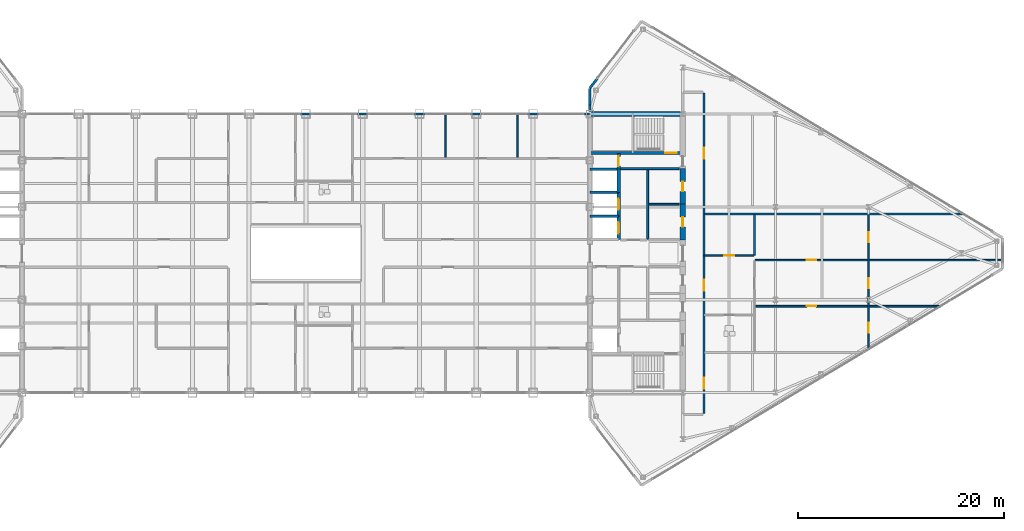
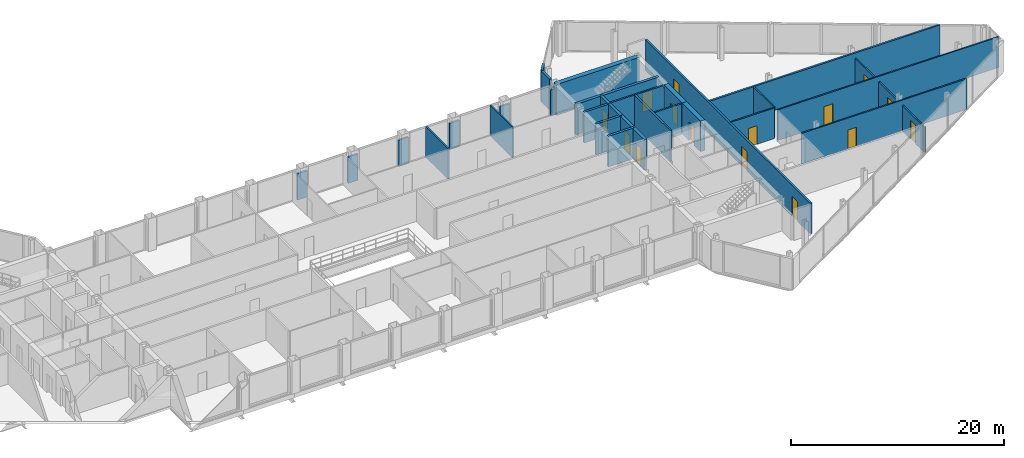
# One storey, part 25 of 29: 32 walls, 15 doors, 15 openings.
"""IFC4 building model written with IfcOpenShell, lengths in metres."""

from ifc_helpers import new_model, si_unit, direction, frame, frame_2d, origin, place, context, subcontext, project, spatial, rectangle, extrude, source, transform, mapped, material, layer, layer_set, type_object, type_shapes, element, fill, save


model = new_model("IFC4")

# Units and contexts
model_context = context("Model", 3, precision=1e-05, world=origin(), true_north=direction((0.0, 1.0)))
body_context = subcontext(model_context, "Body", "Model", "MODEL_VIEW")
ifc_project = project(units=[si_unit("LENGTHUNIT", "METRE"), si_unit("AREAUNIT", "SQUARE_METRE"), si_unit("VOLUMEUNIT", "CUBIC_METRE"), si_unit("PLANEANGLEUNIT", "RADIAN"), si_unit("MASSUNIT", "GRAM", prefix="KILO")], contexts=[model_context])

# Site, building, storey
site_placement = place(None, origin())
site = spatial("IfcSite", under=ifc_project, at=site_placement, CompositionType="ELEMENT")
building_placement = place(site_placement, origin())
building = spatial("IfcBuilding", under=site, at=building_placement, Name="Seokmaru Belvedere", CompositionType="ELEMENT")
storey_placement = place(building_placement, frame((0.0, 0.0, 258.14990234375)))
storey = spatial("IfcBuildingStorey", under=building, at=storey_placement, Name="L68", CompositionType="ELEMENT", Elevation=258.14990234375)

# Wall, opening, door
ifc_material_1 = material(Name="Fire-Rated Gypsum Shaftwall")
ifc_layer_1 = layer(ifc_material_1, 0.14990234375)
ifc_layer_set_1 = layer_set([ifc_layer_1], Name="Fire-Rated Gypsum Shaftwall")
wall_type_1 = type_object("IfcWallType", Name="Apartment Fire-Acoustic Room Partition 150", PredefinedType="PARTITIONING", material=ifc_layer_set_1)
wall_1_placement = place(storey_placement, frame((43.5, -5.1298828125, 0.0), z_axis=(0.0, 0.0, 1.0), x_axis=(1.0, 0.0, 0.0)))
wall_1 = element("IfcWall", 1, at=wall_1_placement, inside=storey, type_object=wall_type_1, Name="L68 Interior Partition 009", PredefinedType="PARTITIONING", context=body_context, shape_type="SweptSolid", body=[
    extrude(rectangle(XDim=17.97998046875, YDim=0.14990234375, at=frame_2d((8.989990234375, 0.0))), origin(), (0.0, 0.0, 1.0), 3.530029296875),
])
opening_1_placement = place(wall_1_placement, frame((5.0, 0.0, 0.0)))
opening_1 = element("IfcOpeningElement", 2, at=opening_1_placement, cuts=wall_1, Name="Opening D05", PredefinedType="OPENING", context=body_context, shape_type="SweptSolid", body=[
    extrude(rectangle(XDim=0.949951171875, YDim=2.14990234375, at=frame_2d((0.47509765625, 1.074951171875))), frame((0.0, 0.0849609375, 0.0), z_axis=(0.0, -1.0, 0.0), x_axis=(1.0, 0.0, 0.0)), (0.0, 0.0, 1.0), 0.169921875),
])
ifc_material_2 = material(Name="Engineered White Oak Timber", Category="wood")
door_type_1 = type_object("IfcDoorType", Name="Apartment Interior Fire-Rated Oak Door 950x2150", OperationType="NOTDEFINED", PredefinedType="DOOR", material=ifc_material_2)
shared_shape_1 = source(origin(), body_context, "Body", "SweptSolid", [
    extrude(rectangle(XDim=0.949951171875, YDim=2.14990234375, at=frame_2d((0.47509765625, 1.074951171875))), frame((0.0, 0.02490234375, 0.0), z_axis=(0.0, -1.0, 0.0), x_axis=(1.0, 0.0, 0.0)), (0.0, 0.0, 1.0), 0.050048828125),
])
type_shapes(door_type_1, [shared_shape_1])
door_1_placement = place(opening_1_placement, origin())
door_1 = element("IfcDoor", 3, at=door_1_placement, inside=storey, type_object=door_type_1, Name="L68 Interior Door 009", OperationType="SINGLE_SWING_RIGHT", OverallHeight=2.14990234375, OverallWidth=0.949951171875, PredefinedType="DOOR", context=body_context, shape_type="MappedRepresentation", body=[
    mapped(shared_shape_1, transform((0.0, 0.0, 0.0), scale=1.0)),
])
fill(opening_1, door_1)

wall_2_placement = place(storey_placement, frame((43.5, -0.669921875, 0.0), z_axis=(0.0, 0.0, 1.0), x_axis=(1.0, 0.0, 0.0)))
wall_2 = element("IfcWall", 4, at=wall_2_placement, inside=storey, type_object=wall_type_1, Name="L68 Interior Partition 013", PredefinedType="PARTITIONING", context=body_context, shape_type="SweptSolid", body=[
    extrude(rectangle(XDim=24.034912109375, YDim=0.14990234375, at=frame_2d((12.017578125, 0.0))), origin(), (0.0, 0.0, 1.0), 3.530029296875),
])
opening_2_placement = place(wall_2_placement, frame((5.0, 0.0, 0.0)))
opening_2 = element("IfcOpeningElement", 5, at=opening_2_placement, cuts=wall_2, Name="Opening D05", PredefinedType="OPENING", context=body_context, shape_type="SweptSolid", body=[
    extrude(rectangle(XDim=0.949951171875, YDim=2.14990234375, at=frame_2d((0.47509765625, 1.074951171875))), frame((0.0, 0.0849609375, 0.0), z_axis=(0.0, -1.0, 0.0), x_axis=(1.0, 0.0, 0.0)), (0.0, 0.0, 1.0), 0.169921875),
])
door_2_placement = place(opening_2_placement, origin())
door_2 = element("IfcDoor", 6, at=door_2_placement, inside=storey, type_object=door_type_1, Name="L68 Interior Door 010", OperationType="SINGLE_SWING_LEFT", OverallHeight=2.14990234375, OverallWidth=0.949951171875, PredefinedType="DOOR", context=body_context, shape_type="MappedRepresentation", body=[
    mapped(shared_shape_1, transform((0.0, 0.0, 0.0), scale=1.0)),
])
fill(opening_2, door_2)

wall_3_placement = place(storey_placement, frame((38.60009765625, -0.219970703125, 0.0), z_axis=(0.0, 0.0, 1.0), x_axis=(1.0, 0.0, 0.0)))
wall_3 = element("IfcWall", 7, at=wall_3_placement, inside=storey, type_object=wall_type_1, Name="L68 Interior Partition 014", PredefinedType="PARTITIONING", context=body_context, shape_type="SweptSolid", body=[
    extrude(rectangle(XDim=4.7998046875, YDim=0.14990234375, at=frame_2d((2.39990234375, 0.0))), origin(), (0.0, 0.0, 1.0), 3.530029296875),
])
opening_3_placement = place(wall_3_placement, frame((1.925048828125, 0.0, 0.0)))
opening_3 = element("IfcOpeningElement", 8, at=opening_3_placement, cuts=wall_3, Name="Opening D05", PredefinedType="OPENING", context=body_context, shape_type="SweptSolid", body=[
    extrude(rectangle(XDim=0.949951171875, YDim=2.14990234375, at=frame_2d((0.47509765625, 1.074951171875))), frame((0.0, 0.0849609375, 0.0), z_axis=(0.0, -1.0, 0.0), x_axis=(1.0, 0.0, 0.0)), (0.0, 0.0, 1.0), 0.169921875),
])
door_3_placement = place(opening_3_placement, origin())
door_3 = element("IfcDoor", 9, at=door_3_placement, inside=storey, type_object=door_type_1, Name="L68 Interior Door 006", OperationType="SINGLE_SWING_RIGHT", OverallHeight=2.14990234375, OverallWidth=0.949951171875, PredefinedType="DOOR", context=body_context, shape_type="MappedRepresentation", body=[
    mapped(shared_shape_1, transform((0.0, 0.0, 0.0), scale=1.0)),
])
fill(opening_3, door_3)

# Walls
for number, where, z_axis, x_axis, name in (
    (10, (13.5, 9.284912109375, 0.0), (0.0, 0.0, 1.0), (0.0, 1.0, 0.0), "L68 Interior Partition 044"),
    (11, (20.5, 9.284912109375, 0.0), (0.0, 0.0, 1.0), (0.0, 1.0, 0.0), "L68 Interior Partition 046"),
):
    element("IfcWall", number, at=place(storey_placement, frame(where, z_axis=z_axis, x_axis=x_axis)), inside=storey, type_object=wall_type_1, Name=name, PredefinedType="PARTITIONING", context=body_context, shape_type="SweptSolid", body=[
        extrude(rectangle(XDim=4.215087890625, YDim=0.14990234375, at=frame_2d((2.107421875, 0.0))), origin(), (0.0, 0.0, 1.0), 3.530029296875),
    ])
wall_4_placement = place(storey_placement, frame((43.449951171875, -0.16796875, 0.0), z_axis=(0.0, 0.0, 1.0), x_axis=(0.0, 1.0, 0.0)))
element("IfcWall", 12, at=wall_4_placement, inside=storey, type_object=wall_type_1, Name="L68 Interior Partition 051", PredefinedType="PARTITIONING", context=body_context, shape_type="SweptSolid", body=[
    extrude(rectangle(XDim=3.91796875, YDim=0.14990234375, at=frame_2d((1.958984375, 0.0))), origin(), (0.0, 0.0, 1.0), 3.530029296875),
])

# Wall, openings, doors
wall_5_placement = place(storey_placement, frame((54.5, -9.3349609375, 0.0), z_axis=(0.0, 0.0, 1.0), x_axis=(0.0, 1.0, 0.0)))
wall_5 = element("IfcWall", 13, at=wall_5_placement, inside=storey, type_object=wall_type_1, Name="L68 Interior Partition 052", PredefinedType="PARTITIONING", context=body_context, shape_type="SweptSolid", body=[
    extrude(rectangle(XDim=13.0849609375, YDim=0.14990234375, at=frame_2d((6.54248046875, 0.0))), origin(), (0.0, 0.0, 1.0), 2.93017578125),
])
opening_4_placement = place(wall_5_placement, frame((5.9599609375, 0.0, 0.0)))
opening_4 = element("IfcOpeningElement", 14, at=opening_4_placement, cuts=wall_5, Name="Opening D05", PredefinedType="OPENING", context=body_context, shape_type="SweptSolid", body=[
    extrude(rectangle(XDim=0.949951171875, YDim=2.14990234375, at=frame_2d((0.47509765625, 1.074951171875))), frame((0.0, 0.0849609375, 0.0), z_axis=(0.0, -1.0, 0.0), x_axis=(1.0, 0.0, 0.0)), (0.0, 0.0, 1.0), 0.169921875),
])
opening_5_placement = place(wall_5_placement, frame((1.643310546875, 0.0, 0.0)))
opening_5 = element("IfcOpeningElement", 15, at=opening_5_placement, cuts=wall_5, Name="Opening D05", PredefinedType="OPENING", context=body_context, shape_type="SweptSolid", body=[
    extrude(rectangle(XDim=0.949951171875, YDim=2.14990234375, at=frame_2d((0.47509765625, 1.074951171875))), frame((0.0, 0.0849609375, 0.0), z_axis=(0.0, -1.0, 0.0), x_axis=(1.0, 0.0, 0.0)), (0.0, 0.0, 1.0), 0.169921875),
])
opening_6_placement = place(wall_5_placement, frame((10.4267578125, 0.0, 0.0)))
opening_6 = element("IfcOpeningElement", 16, at=opening_6_placement, cuts=wall_5, Name="Opening D05", PredefinedType="OPENING", context=body_context, shape_type="SweptSolid", body=[
    extrude(rectangle(XDim=0.949951171875, YDim=2.14990234375, at=frame_2d((0.47509765625, 1.074951171875))), frame((0.0, 0.0849609375, 0.0), z_axis=(0.0, -1.0, 0.0), x_axis=(1.0, 0.0, 0.0)), (0.0, 0.0, 1.0), 0.169921875),
])
door_4_placement = place(opening_4_placement, origin())
door_4 = element("IfcDoor", 17, at=door_4_placement, inside=storey, type_object=door_type_1, Name="L68 Interior Door 008", OperationType="SINGLE_SWING_RIGHT", OverallHeight=2.14990234375, OverallWidth=0.949951171875, PredefinedType="DOOR", context=body_context, shape_type="MappedRepresentation", body=[
    mapped(shared_shape_1, transform((0.0, 0.0, 0.0), scale=1.0)),
])
fill(opening_4, door_4)
door_5_placement = place(opening_5_placement, origin())
door_5 = element("IfcDoor", 18, at=door_5_placement, inside=storey, type_object=door_type_1, Name="L68 Interior Door 011", OperationType="SINGLE_SWING_LEFT", OverallHeight=2.14990234375, OverallWidth=0.949951171875, PredefinedType="DOOR", context=body_context, shape_type="MappedRepresentation", body=[
    mapped(shared_shape_1, transform((0.0, 0.0, 0.0), scale=1.0)),
])
fill(opening_5, door_5)
door_6_placement = place(opening_6_placement, origin())
door_6 = element("IfcDoor", 19, at=door_6_placement, inside=storey, type_object=door_type_1, Name="L68 Interior Door 012", OperationType="SINGLE_SWING_RIGHT", OverallHeight=2.14990234375, OverallWidth=0.949951171875, PredefinedType="DOOR", context=body_context, shape_type="MappedRepresentation", body=[
    mapped(shared_shape_1, transform((0.0, 0.0, 0.0), scale=1.0)),
])
fill(opening_6, door_6)

# Walls
ifc_material_3 = material(Name="Anodised Bronze Aluminium", Category="aluminium")
ifc_layer_2 = layer(ifc_material_3, 0.2099609375)
ifc_layer_set_2 = layer_set([ifc_layer_2], Name="Anodised Bronze Aluminium")
wall_type_2 = type_object("IfcWallType", Name="Bridge Column Spandrel Closure Pier 210", PredefinedType="SOLIDWALL", material=ifc_layer_set_2)
for number, where, z_axis, x_axis, name in (
    (20, (-0.550048828125, 13.5, 0.0), (0.0, 0.0, 1.0), (1.0, 0.0, 0.0), "L68 Bridge North Column Closure Pier 06"),
    (21, (4.949951171875, 13.5, 0.0), (0.0, 0.0, 1.0), (1.0, 0.0, 0.0), "L68 Bridge North Column Closure Pier 07"),
    (22, (10.449951171875, 13.5, 0.0), (0.0, 0.0, 1.0), (1.0, 0.0, 0.0), "L68 Bridge North Column Closure Pier 08"),
    (23, (15.949951171875, 13.5, 0.0), (0.0, 0.0, 1.0), (1.0, 0.0, 0.0), "L68 Bridge North Column Closure Pier 09"),
    (24, (21.449951171875, 13.5, 0.0), (0.0, 0.0, 1.0), (1.0, 0.0, 0.0), "L68 Bridge North Column Closure Pier 10"),
):
    element("IfcWall", number, at=place(storey_placement, frame(where, z_axis=z_axis, x_axis=x_axis)), inside=storey, type_object=wall_type_2, Name=name, PredefinedType="SOLIDWALL", context=body_context, shape_type="SweptSolid", body=[
        extrude(rectangle(XDim=1.10009765625, YDim=0.2099609375, at=frame_2d((0.550048828125, 0.0))), origin(), (0.0, 0.0, 1.0), 3.030029296875),
    ])
wall_6_placement = place(storey_placement, frame((26.949951171875, 13.5, 0.0), z_axis=(0.0, 0.0, 1.0), x_axis=(1.0, 0.0, 0.0)))
element("IfcWall", 25, at=wall_6_placement, inside=storey, type_object=wall_type_2, Name="L68 Bridge North Column Closure Pier 11", PredefinedType="SOLIDWALL", context=body_context, shape_type="SweptSolid", body=[
    extrude(rectangle(XDim=0.5400390625, YDim=0.2099609375, at=frame_2d((0.27001953125, 0.0))), origin(), (0.0, 0.0, 1.0), 3.030029296875),
])
ifc_layer_3 = layer(ifc_material_1, 0.179931640625)
ifc_layer_set_3 = layer_set([ifc_layer_3], Name="Fire-Rated Gypsum Shaftwall")
wall_type_3 = type_object("IfcWallType", Name="Core Service Fire Partition 180", PredefinedType="PARTITIONING", material=ifc_layer_set_3)
wall_7_placement = place(storey_placement, frame((30.449951171875, 8.199951171875, 0.0), z_axis=(0.0, 0.0, 1.0), x_axis=(1.0, 0.0, 0.0)))
element("IfcWall", 26, at=wall_7_placement, inside=storey, type_object=wall_type_3, Name="L68 East Smokeproof Vestibule Partition", PredefinedType="PARTITIONING", context=body_context, shape_type="SweptSolid", body=[
    extrude(rectangle(XDim=5.699951171875, YDim=0.179931640625, at=frame_2d((2.85009765625, 0.0))), origin(), (0.0, 0.0, 1.0), 3.530029296875),
])
wall_8_placement = place(storey_placement, frame((33.10009765625, 1.3798828125, 0.0), z_axis=(0.0, 0.0, 1.0), x_axis=(0.0, 1.0, 0.0)))
element("IfcWall", 27, at=wall_8_placement, inside=storey, type_object=wall_type_3, Name="L68 East North Core Service Back Wall", PredefinedType="PARTITIONING", context=body_context, shape_type="SweptSolid", body=[
    extrude(rectangle(XDim=6.740234375, YDim=0.179931640625, at=frame_2d((3.3701171875, 0.0))), origin(), (0.0, 0.0, 1.0), 3.530029296875),
])
wall_9_placement = place(storey_placement, frame((33.199951171875, 4.75, 0.0), z_axis=(0.0, 0.0, 1.0), x_axis=(1.0, 0.0, 0.0)))
element("IfcWall", 28, at=wall_9_placement, inside=storey, type_object=wall_type_3, Name="L68 East Core Service Partition 2", PredefinedType="PARTITIONING", context=body_context, shape_type="SweptSolid", body=[
    extrude(rectangle(XDim=2.949951171875, YDim=0.179931640625, at=frame_2d((1.47509765625, 0.0))), origin(), (0.0, 0.0, 1.0), 3.530029296875),
])
ifc_material_4 = material(Name="Concrete C50 (50 MPa)", Category="concrete")
ifc_layer_4 = layer(ifc_material_4, 0.25)
ifc_layer_set_4 = layer_set([ifc_layer_4], Name="Concrete C50 (50 MPa)")
wall_type_4 = type_object("IfcWallType", Name="Hoistway Transverse Concrete Divider Wall 250", PredefinedType="SHEAR", material=ifc_layer_set_4)
for number, where, z_axis, x_axis, name in (
    (29, (27.5, 3.60009765625, 0.0), (0.0, 0.0, 1.0), (1.0, 0.0, 0.0), "L68 East Hoistway Divider Core Wall 3"),
    (30, (27.5, 5.89990234375, 0.0), (0.0, 0.0, 1.0), (1.0, 0.0, 0.0), "L68 East Hoistway Divider Core Wall 4"),
    (31, (27.5, 8.14990234375, 0.0), (0.0, 0.0, 1.0), (1.0, 0.0, 0.0), "L68 East Hoistway Divider Core Wall 5"),
):
    element("IfcWall", number, at=place(storey_placement, frame(where, z_axis=z_axis, x_axis=x_axis)), inside=storey, type_object=wall_type_4, Name=name, PredefinedType="SHEAR", context=body_context, shape_type="SweptSolid", body=[
        extrude(rectangle(XDim=2.800048828125, YDim=0.25, at=frame_2d((1.39990234375, 0.0))), origin(), (0.0, 0.0, 1.0), 3.530029296875),
    ])
ifc_layer_5 = layer(ifc_material_1, 0.199951171875)
ifc_layer_set_5 = layer_set([ifc_layer_5], Name="Fire-Rated Gypsum Shaftwall")
wall_type_5 = type_object("IfcWallType", Name="Inter-Tenancy Fire Compartment Partition 200", PredefinedType="PARTITIONING", material=ifc_layer_set_5)
wall_10_placement = place(storey_placement, frame((38.6298828125, 3.800048828125, 0.0), z_axis=(0.0, 0.0, 1.0), x_axis=(1.0, 0.0, 0.0)))
element("IfcWall", 32, at=wall_10_placement, inside=storey, type_object=wall_type_5, Name="L68 Interior Partition 018", PredefinedType="PARTITIONING", context=body_context, shape_type="SweptSolid", body=[
    extrude(rectangle(XDim=25.046142578125, YDim=0.199951171875, at=frame_2d((12.52294921875, 0.0))), origin(), (0.0, 0.0, 1.0), 3.530029296875),
])

# Wall, openings, doors
wall_11_placement = place(storey_placement, frame((38.550048828125, -15.514892578125, 0.0), z_axis=(0.0, 0.0, 1.0), x_axis=(0.0, 1.0, 0.0)))
wall_11 = element("IfcWall", 33, at=wall_11_placement, inside=storey, type_object=wall_type_5, Name="L68 Interior Partition 049", PredefinedType="PARTITIONING", context=body_context, shape_type="SweptSolid", body=[
    extrude(rectangle(XDim=31.02978515625, YDim=0.199951171875, at=frame_2d((15.514892578125, 0.0))), origin(), (0.0, 0.0, 1.0), 3.530029296875),
])
opening_7_placement = place(wall_11_placement, frame((2.389892578125, 0.0, 0.0)))
opening_7 = element("IfcOpeningElement", 34, at=opening_7_placement, cuts=wall_11, Name="Opening D03", PredefinedType="OPENING", context=body_context, shape_type="SweptSolid", body=[
    extrude(rectangle(XDim=1.050048828125, YDim=2.25, at=frame_2d((0.52490234375, 1.125))), frame((0.0, 0.10986328125, 0.0), z_axis=(0.0, -1.0, 0.0), x_axis=(1.0, 0.0, 0.0)), (0.0, 0.0, 1.0), 0.219970703125),
])
opening_8_placement = place(wall_11_placement, frame((11.888916015625, 0.0, 0.0)))
opening_8 = element("IfcOpeningElement", 35, at=opening_8_placement, cuts=wall_11, Name="Opening D03", PredefinedType="OPENING", context=body_context, shape_type="SweptSolid", body=[
    extrude(rectangle(XDim=1.050048828125, YDim=2.25, at=frame_2d((0.52490234375, 1.125))), frame((0.0, 0.10986328125, 0.0), z_axis=(0.0, -1.0, 0.0), x_axis=(1.0, 0.0, 0.0)), (0.0, 0.0, 1.0), 0.219970703125),
])
opening_9_placement = place(wall_11_placement, frame((24.68994140625, 0.0, 0.0)))
opening_9 = element("IfcOpeningElement", 36, at=opening_9_placement, cuts=wall_11, Name="Opening D03", PredefinedType="OPENING", context=body_context, shape_type="SweptSolid", body=[
    extrude(rectangle(XDim=1.050048828125, YDim=2.25, at=frame_2d((0.52490234375, 1.125))), frame((0.0, 0.10986328125, 0.0), z_axis=(0.0, -1.0, 0.0), x_axis=(1.0, 0.0, 0.0)), (0.0, 0.0, 1.0), 0.219970703125),
])
ifc_material_5 = material(Name="Fire-Rated Steel Leaf", Category="steel")
door_type_2 = type_object("IfcDoorType", Name="Apartment Entrance Fire Door 1050x2250", OperationType="NOTDEFINED", PredefinedType="DOOR", material=ifc_material_5)
shared_shape_2 = source(origin(), body_context, "Body", "SweptSolid", [
    extrude(rectangle(XDim=1.050048828125, YDim=2.25, at=frame_2d((0.52490234375, 1.125))), frame((0.0, 0.02490234375, 0.0), z_axis=(0.0, -1.0, 0.0), x_axis=(1.0, 0.0, 0.0)), (0.0, 0.0, 1.0), 0.050048828125),
])
type_shapes(door_type_2, [shared_shape_2])
door_7_placement = place(opening_7_placement, origin())
door_7 = element("IfcDoor", 37, at=door_7_placement, inside=storey, type_object=door_type_2, Name="L68 Interior Door 003", OperationType="SINGLE_SWING_LEFT", OverallHeight=2.25, OverallWidth=1.050048828125, PredefinedType="DOOR", context=body_context, shape_type="MappedRepresentation", body=[
    mapped(shared_shape_2, transform((0.0, 0.0, 0.0), scale=1.0)),
])
fill(opening_7, door_7)
door_8_placement = place(opening_8_placement, origin())
door_8 = element("IfcDoor", 38, at=door_8_placement, inside=storey, type_object=door_type_2, Name="L68 Interior Door 004", OperationType="SINGLE_SWING_RIGHT", OverallHeight=2.25, OverallWidth=1.050048828125, PredefinedType="DOOR", context=body_context, shape_type="MappedRepresentation", body=[
    mapped(shared_shape_2, transform((0.0, 0.0, 0.0), scale=1.0)),
])
fill(opening_8, door_8)
door_9_placement = place(opening_9_placement, origin())
door_9 = element("IfcDoor", 39, at=door_9_placement, inside=storey, type_object=door_type_2, Name="L68 Interior Door 013", OperationType="SINGLE_SWING_LEFT", OverallHeight=2.25, OverallWidth=1.050048828125, PredefinedType="DOOR", context=body_context, shape_type="MappedRepresentation", body=[
    mapped(shared_shape_2, transform((0.0, 0.0, 0.0), scale=1.0)),
])
fill(opening_9, door_9)

# Wall, opening, door
ifc_layer_6 = layer(ifc_material_4, 0.300048828125)
ifc_layer_set_6 = layer_set([ifc_layer_6], Name="Concrete C50 (50 MPa)")
wall_type_6 = type_object("IfcWallType", Name="Internal Core Stair and Hoistway Wall 300", PredefinedType="SHEAR", material=ifc_layer_set_6)
wall_12_placement = place(storey_placement, frame((27.5, 9.699951171875, 0.0), z_axis=(0.0, 0.0, 1.0), x_axis=(1.0, 0.0, 0.0)))
wall_12 = element("IfcWall", 40, at=wall_12_placement, inside=storey, type_object=wall_type_6, Name="L68 East Stair ST-2 Enclosure Wall", PredefinedType="SHEAR", context=body_context, shape_type="SweptSolid", body=[
    extrude(rectangle(XDim=9.0, YDim=0.300048828125, at=frame_2d((4.5, 0.0))), origin(), (0.0, 0.0, 1.0), 3.530029296875),
])
opening_10_placement = place(wall_12_placement, frame((7.300048828125, 0.0, 0.0)))
opening_10 = element("IfcOpeningElement", 41, at=opening_10_placement, cuts=wall_12, Name="Opening D01", PredefinedType="OPENING", context=body_context, shape_type="SweptSolid", body=[
    extrude(rectangle(XDim=1.10009765625, YDim=2.199951171875, at=frame_2d((0.550048828125, 1.10009765625))), frame((0.0, 0.16015625, 0.0), z_axis=(0.0, -1.0, 0.0), x_axis=(1.0, 0.0, 0.0)), (0.0, 0.0, 1.0), 0.320068359375),
])
door_type_3 = type_object("IfcDoorType", Name="Special Escape Stair Smokeproof Fire Door 1100x2200", OperationType="NOTDEFINED", PredefinedType="DOOR", material=ifc_material_5)
shared_shape_3 = source(origin(), body_context, "Body", "SweptSolid", [
    extrude(rectangle(XDim=1.10009765625, YDim=2.199951171875, at=frame_2d((0.550048828125, 1.10009765625))), frame((0.0, 0.02490234375, 0.0), z_axis=(0.0, -1.0, 0.0), x_axis=(1.0, 0.0, 0.0)), (0.0, 0.0, 1.0), 0.050048828125),
])
type_shapes(door_type_3, [shared_shape_3])
door_10_placement = place(opening_10_placement, origin())
door_10 = element("IfcDoor", 42, at=door_10_placement, inside=storey, type_object=door_type_3, Name="L68 East Special Escape Stair ST-2 Door", OperationType="SINGLE_SWING_LEFT", OverallHeight=2.199951171875, OverallWidth=1.10009765625, PredefinedType="DOOR", context=body_context, shape_type="MappedRepresentation", body=[
    mapped(shared_shape_3, transform((0.0, 0.0, 0.0), scale=1.0)),
])
fill(opening_10, door_10)

wall_13_placement = place(storey_placement, frame((30.300048828125, 1.320068359375, 0.0), z_axis=(0.0, 0.0, 1.0), x_axis=(0.0, 1.0, 0.0)))
wall_13 = element("IfcWall", 43, at=wall_13_placement, inside=storey, type_object=wall_type_6, Name="L68 East North Hoistway Wall PH1", PredefinedType="SHEAR", context=body_context, shape_type="SweptSolid", body=[
    extrude(rectangle(XDim=2.280029296875, YDim=0.300048828125, at=frame_2d((1.14013671875, 0.0))), origin(), (0.0, 0.0, 1.0), 3.530029296875),
])
opening_11_placement = place(wall_13_placement, frame((0.590087890625, 0.0, 0.0)))
opening_11 = element("IfcOpeningElement", 44, at=opening_11_placement, cuts=wall_13, Name="Opening LD1", PredefinedType="OPENING", context=body_context, shape_type="SweptSolid", body=[
    extrude(rectangle(XDim=1.10009765625, YDim=2.199951171875, at=frame_2d((0.550048828125, 1.10009765625))), frame((0.0, 0.16015625, 0.0), z_axis=(0.0, -1.0, 0.0), x_axis=(1.0, 0.0, 0.0)), (0.0, 0.0, 1.0), 0.320068359375),
])
ifc_material_6 = material(Name="Stainless Steel 316", Category="steel")
door_type_4 = type_object("IfcDoorType", Name="Passenger Lift Sliding Landing Door 1100x2200", OperationType="DOUBLE_DOOR_SLIDING", PredefinedType="DOOR", material=ifc_material_6)
shared_shape_4 = source(origin(), body_context, "Body", "SweptSolid", [
    extrude(rectangle(XDim=1.10009765625, YDim=2.199951171875, at=frame_2d((0.550048828125, 1.10009765625))), frame((0.0, 0.02490234375, 0.0), z_axis=(0.0, -1.0, 0.0), x_axis=(1.0, 0.0, 0.0)), (0.0, 0.0, 1.0), 0.050048828125),
])
type_shapes(door_type_4, [shared_shape_4])
door_11_placement = place(opening_11_placement, origin())
door_11 = element("IfcDoor", 45, at=door_11_placement, inside=storey, type_object=door_type_4, Name="L68 East High-Rise Lift PH-1 Landing Door", OperationType="DOUBLE_DOOR_SLIDING", OverallHeight=2.199951171875, OverallWidth=1.10009765625, PredefinedType="DOOR", context=body_context, shape_type="MappedRepresentation", body=[
    mapped(shared_shape_4, transform((0.0, 0.0, 0.0), scale=1.0)),
])
fill(opening_11, door_11)

wall_14_placement = place(storey_placement, frame((30.300048828125, 3.60009765625, 0.0), z_axis=(0.0, 0.0, 1.0), x_axis=(0.0, 1.0, 0.0)))
wall_14 = element("IfcWall", 46, at=wall_14_placement, inside=storey, type_object=wall_type_6, Name="L68 East North Hoistway Wall PH2", PredefinedType="SHEAR", context=body_context, shape_type="SweptSolid", body=[
    extrude(rectangle(XDim=2.2998046875, YDim=0.300048828125, at=frame_2d((1.14990234375, 0.0))), origin(), (0.0, 0.0, 1.0), 3.530029296875),
])
opening_12_placement = place(wall_14_placement, frame((0.60009765625, 0.0, 0.0)))
opening_12 = element("IfcOpeningElement", 47, at=opening_12_placement, cuts=wall_14, Name="Opening LD1", PredefinedType="OPENING", context=body_context, shape_type="SweptSolid", body=[
    extrude(rectangle(XDim=1.10009765625, YDim=2.199951171875, at=frame_2d((0.550048828125, 1.10009765625))), frame((0.0, 0.16015625, 0.0), z_axis=(0.0, -1.0, 0.0), x_axis=(1.0, 0.0, 0.0)), (0.0, 0.0, 1.0), 0.320068359375),
])
door_12_placement = place(opening_12_placement, origin())
door_12 = element("IfcDoor", 48, at=door_12_placement, inside=storey, type_object=door_type_4, Name="L68 East High-Rise Lift PH-2 Landing Door", OperationType="DOUBLE_DOOR_SLIDING", OverallHeight=2.199951171875, OverallWidth=1.10009765625, PredefinedType="DOOR", context=body_context, shape_type="MappedRepresentation", body=[
    mapped(shared_shape_4, transform((0.0, 0.0, 0.0), scale=1.0)),
])
fill(opening_12, door_12)

# Wall
wall_15_placement = place(storey_placement, frame((30.300048828125, 5.89990234375, 0.0), z_axis=(0.0, 0.0, 1.0), x_axis=(0.0, 1.0, 0.0)))
element("IfcWall", 49, at=wall_15_placement, inside=storey, type_object=wall_type_6, Name="L68 East North Hoistway Wall OBS", PredefinedType="SHEAR", context=body_context, shape_type="SweptSolid", body=[
    extrude(rectangle(XDim=2.25, YDim=0.300048828125, at=frame_2d((1.125, 0.0))), origin(), (0.0, 0.0, 1.0), 3.530029296875),
])

# Wall, opening, door
wall_16_placement = place(storey_placement, frame((30.300048828125, 8.14990234375, 0.0), z_axis=(0.0, 0.0, 1.0), x_axis=(0.0, 1.0, 0.0)))
wall_16 = element("IfcWall", 50, at=wall_16_placement, inside=storey, type_object=wall_type_6, Name="L68 East Electrical Riser Front Wall", PredefinedType="SHEAR", context=body_context, shape_type="SweptSolid", body=[
    extrude(rectangle(XDim=1.530029296875, YDim=0.300048828125, at=frame_2d((0.76513671875, 0.0))), origin(), (0.0, 0.0, 1.0), 3.530029296875),
])
opening_13_placement = place(wall_16_placement, frame((0.284912109375, 0.0, 0.0)))
opening_13 = element("IfcOpeningElement", 51, at=opening_13_placement, cuts=wall_16, Name="Opening D04", PredefinedType="OPENING", context=body_context, shape_type="SweptSolid", body=[
    extrude(rectangle(XDim=0.949951171875, YDim=2.14990234375, at=frame_2d((0.47509765625, 1.074951171875))), frame((0.0, 0.16015625, 0.0), z_axis=(0.0, -1.0, 0.0), x_axis=(1.0, 0.0, 0.0)), (0.0, 0.0, 1.0), 0.320068359375),
])
door_type_5 = type_object("IfcDoorType", Name="Core Service Room Fire Door 950x2150", OperationType="NOTDEFINED", PredefinedType="DOOR", material=ifc_material_5)
shared_shape_5 = source(origin(), body_context, "Body", "SweptSolid", [
    extrude(rectangle(XDim=0.949951171875, YDim=2.14990234375, at=frame_2d((0.47509765625, 1.074951171875))), frame((0.0, 0.02490234375, 0.0), z_axis=(0.0, -1.0, 0.0), x_axis=(1.0, 0.0, 0.0)), (0.0, 0.0, 1.0), 0.050048828125),
])
type_shapes(door_type_5, [shared_shape_5])
door_13_placement = place(opening_13_placement, origin())
door_13 = element("IfcDoor", 52, at=door_13_placement, inside=storey, type_object=door_type_5, Name="L68 East Electrical Riser Access Door", OperationType="SINGLE_SWING_RIGHT", OverallHeight=2.14990234375, OverallWidth=0.949951171875, PredefinedType="DOOR", context=body_context, shape_type="MappedRepresentation", body=[
    mapped(shared_shape_5, transform((0.0, 0.0, 0.0), scale=1.0)),
])
fill(opening_13, door_13)

# Walls
ifc_layer_7 = layer(ifc_material_3, 0.239990234375)
ifc_layer_set_7 = layer_set([ifc_layer_7], Name="Anodised Bronze Aluminium")
wall_type_7 = type_object("IfcWallType", Name="Tower Corner Spandrel Closure Wall 240", PredefinedType="SOLIDWALL", material=ifc_layer_set_7)
wall_17_placement = place(storey_placement, frame((28.201171875, 16.91162109375, 0.0), z_axis=(0.0, 0.0, 1.0), x_axis=(-0.609617623633, -0.792695624408, 0.0)))
element("IfcWall", 53, at=wall_17_placement, inside=storey, type_object=wall_type_7, Name="L68 E Corner Closure Pier 4B", PredefinedType="SOLIDWALL", context=body_context, shape_type="SweptSolid", body=[
    extrude(rectangle(XDim=1.14013671875, YDim=0.239990234375, at=frame_2d((0.570068359375, 0.0))), origin(), (0.0, 0.0, 1.0), 3.530029296875),
])
wall_18_placement = place(storey_placement, frame((27.5, 13.7548828125, 0.0), z_axis=(0.0, 0.0, 1.0), x_axis=(0.0, 1.0, 0.0)))
element("IfcWall", 54, at=wall_18_placement, inside=storey, type_object=wall_type_7, Name="L68 E Shoulder Closure Wall 2", PredefinedType="SOLIDWALL", context=body_context, shape_type="SweptSolid", body=[
    extrude(rectangle(XDim=0.619873046875, YDim=0.239990234375, at=frame_2d((0.31005859375, 0.0))), origin(), (0.0, 0.0, 1.0), 3.030029296875),
])
wall_19_placement = place(storey_placement, frame((27.5, 14.374755859375, 0.0), z_axis=(0.0, 0.0, 1.0), x_axis=(0.0, 1.0, 0.0)))
element("IfcWall", 55, at=wall_19_placement, inside=storey, type_object=wall_type_7, Name="L68 E Shoulder Closure Wall 2 Part 2", PredefinedType="SOLIDWALL", context=body_context, shape_type="SweptSolid", body=[
    extrude(rectangle(XDim=1.605224609375, YDim=0.239990234375, at=frame_2d((0.802734375, 0.0))), origin(), (0.0, 0.0, 1.0), 3.530029296875),
])
ifc_layer_8 = layer(ifc_material_4, 0.5)
ifc_layer_set_8 = layer_set([ifc_layer_8], Name="Concrete C50 (50 MPa)")
wall_type_8 = type_object("IfcWallType", Name="Upper Tower Reinforced Concrete Core Wall 500", PredefinedType="SHEAR", material=ifc_layer_set_8)
wall_20_placement = place(storey_placement, frame((27.5, 13.5, 0.0), z_axis=(0.0, 0.0, 1.0), x_axis=(1.0, 0.0, 0.0)))
element("IfcWall", 56, at=wall_20_placement, inside=storey, type_object=wall_type_8, Name="L68 East North Core Wall", PredefinedType="SHEAR", context=body_context, shape_type="SweptSolid", body=[
    extrude(rectangle(XDim=9.0, YDim=0.5, at=frame_2d((4.5, 0.0))), origin(), (0.0, 0.0, 1.0), 3.530029296875),
])

# Wall, opening, door
wall_21_placement = place(storey_placement, frame((36.5, 1.300048828125, 0.0), z_axis=(0.0, 0.0, 1.0), x_axis=(0.0, 1.0, 0.0)))
wall_21 = element("IfcWall", 57, at=wall_21_placement, inside=storey, type_object=wall_type_8, Name="L68 East West Core Wall CS3", PredefinedType="SHEAR", context=body_context, shape_type="SweptSolid", body=[
    extrude(rectangle(XDim=3.449951171875, YDim=0.5, at=frame_2d((1.72509765625, 0.0))), origin(), (0.0, 0.0, 1.0), 3.530029296875),
])
opening_14_placement = place(wall_21_placement, frame((1.25, 0.0, 0.0)))
opening_14 = element("IfcOpeningElement", 58, at=opening_14_placement, cuts=wall_21, Name="Opening D04", PredefinedType="OPENING", context=body_context, shape_type="SweptSolid", body=[
    extrude(rectangle(XDim=0.949951171875, YDim=2.14990234375, at=frame_2d((0.47509765625, 1.074951171875))), frame((0.0, 0.260009765625, 0.0), z_axis=(0.0, -1.0, 0.0), x_axis=(1.0, 0.0, 0.0)), (0.0, 0.0, 1.0), 0.52001953125),
])
door_14_placement = place(opening_14_placement, origin())
door_14 = element("IfcDoor", 59, at=door_14_placement, inside=storey, type_object=door_type_5, Name="L68 East Core Service Room Door 3", OperationType="SINGLE_SWING_RIGHT", OverallHeight=2.14990234375, OverallWidth=0.949951171875, PredefinedType="DOOR", context=body_context, shape_type="MappedRepresentation", body=[
    mapped(shared_shape_5, transform((0.0, 0.0, 0.0), scale=1.0)),
])
fill(opening_14, door_14)

wall_22_placement = place(storey_placement, frame((36.5, 4.75, 0.0), z_axis=(0.0, 0.0, 1.0), x_axis=(0.0, 1.0, 0.0)))
wall_22 = element("IfcWall", 60, at=wall_22_placement, inside=storey, type_object=wall_type_8, Name="L68 East West Core Wall CS4", PredefinedType="SHEAR", context=body_context, shape_type="SweptSolid", body=[
    extrude(rectangle(XDim=3.449951171875, YDim=0.5, at=frame_2d((1.72509765625, 0.0))), origin(), (0.0, 0.0, 1.0), 3.530029296875),
])
opening_15_placement = place(wall_22_placement, frame((1.25, 0.0, 0.0)))
opening_15 = element("IfcOpeningElement", 61, at=opening_15_placement, cuts=wall_22, Name="Opening D04", PredefinedType="OPENING", context=body_context, shape_type="SweptSolid", body=[
    extrude(rectangle(XDim=0.949951171875, YDim=2.14990234375, at=frame_2d((0.47509765625, 1.074951171875))), frame((0.0, 0.260009765625, 0.0), z_axis=(0.0, -1.0, 0.0), x_axis=(1.0, 0.0, 0.0)), (0.0, 0.0, 1.0), 0.52001953125),
])
door_15_placement = place(opening_15_placement, origin())
door_15 = element("IfcDoor", 62, at=door_15_placement, inside=storey, type_object=door_type_5, Name="L68 East Core Service Room Door 4", OperationType="SINGLE_SWING_LEFT", OverallHeight=2.14990234375, OverallWidth=0.949951171875, PredefinedType="DOOR", context=body_context, shape_type="MappedRepresentation", body=[
    mapped(shared_shape_5, transform((0.0, 0.0, 0.0), scale=1.0)),
])
fill(opening_15, door_15)

save(model, "model.ifc")
